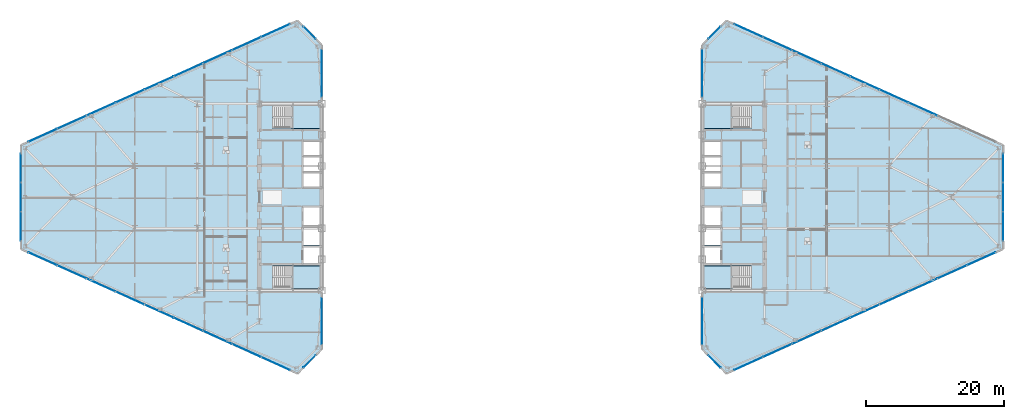
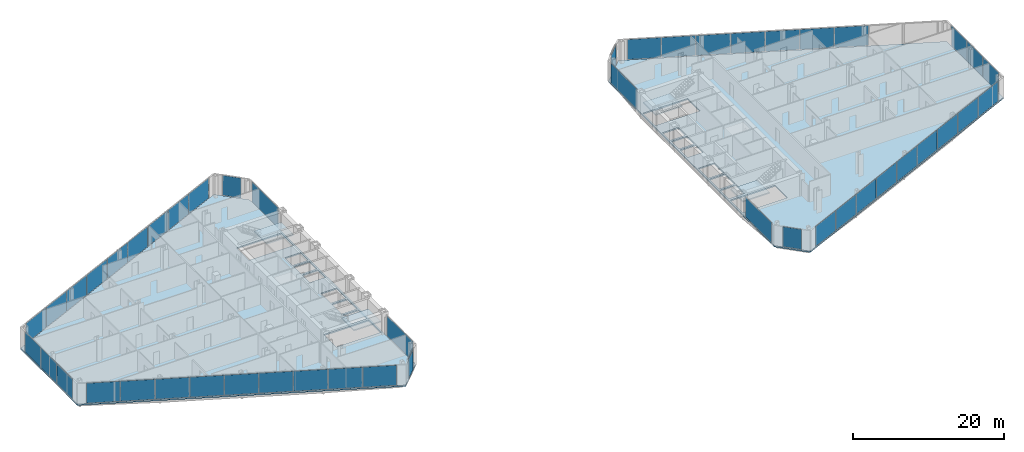
# One storey, part 17 of 27: 48 plates, 6 slabs, 18 elements without a shape of their own.
"""IFC4 building model written with IfcOpenShell, lengths in metres."""

from ifc_helpers import new_model, si_unit, direction, frame, origin, origin_2d, place, context, subcontext, project, spatial, polyline, rectangle, outline, extrude, source, transform, mapped, material, layer, layer_set, type_object, type_shapes, element, aggregate, save


model = new_model("IFC4")

# Units and contexts
model_context = context("Model", 3, precision=1e-05, world=origin(), true_north=direction((0.0, 1.0)))
body_context = subcontext(model_context, "Body", "Model", "MODEL_VIEW")
ifc_project = project(units=[si_unit("LENGTHUNIT", "METRE"), si_unit("AREAUNIT", "SQUARE_METRE"), si_unit("VOLUMEUNIT", "CUBIC_METRE"), si_unit("PLANEANGLEUNIT", "RADIAN"), si_unit("MASSUNIT", "GRAM", prefix="KILO")], contexts=[model_context])

# Site, building, storey
site_placement = place(None, origin())
site = spatial("IfcSite", under=ifc_project, at=site_placement, CompositionType="ELEMENT")
building_placement = place(site_placement, origin())
building = spatial("IfcBuilding", under=site, at=building_placement, Name="Seokmaru Belvedere", CompositionType="ELEMENT")
storey_placement = place(building_placement, frame((0.0, 0.0, 72.89990234375)))
storey = spatial("IfcBuildingStorey", under=building, at=storey_placement, Name="L19", CompositionType="ELEMENT", Elevation=72.89990234375)

# Stair, slab
ifc_material_1 = material(Name="Concrete C40 (40 MPa)", Category="concrete")
stair_type = type_object("IfcStairType", Name="Typical Tower Core Dog-Leg Stair 3600", PredefinedType="TWO_STRAIGHT_RUN_STAIR", material=ifc_material_1)
stair_1_placement = place(storey_placement, origin())
stair_1 = element("IfcStair", 1, at=stair_1_placement, inside=storey, type_object=stair_type, Name="L19 Special Escape Stair ST-W1", PredefinedType="TWO_STRAIGHT_RUN_STAIR")
ifc_layer_1 = layer(ifc_material_1, 0.199951171875)
ifc_layer_set_1 = layer_set([ifc_layer_1], Name="Concrete C40 (40 MPa)")
slab_type_1 = type_object("IfcSlabType", Name="Reinforced Concrete Stair Landing Slab 200", PredefinedType="LANDING", material=ifc_layer_set_1)
slab_1_placement = place(storey_placement, frame((0.0, 0.0, 1.60009765625)))
slab_1 = element("IfcSlab", 2, at=slab_1_placement, type_object=slab_type_1, Name="ST-W1 landing 1", PredefinedType="LANDING", context=body_context, shape_type="SweptSolid", body=[
    extrude(outline(polyline([(-31.8798828125, -13.239990234375), (-27.760009765625, -13.239990234375), (-27.760009765625, -9.949951171875), (-31.8798828125, -9.949951171875), (-31.8798828125, -13.239990234375)])), origin(), (0.0, 0.0, 1.0), 0.199951171875),
])
aggregate(stair_1, [slab_1])

stair_2_placement = place(storey_placement, origin())
stair_2 = element("IfcStair", 3, at=stair_2_placement, inside=storey, type_object=stair_type, Name="L19 Special Escape Stair ST-W2", PredefinedType="TWO_STRAIGHT_RUN_STAIR")
slab_2_placement = place(storey_placement, frame((0.0, 0.0, 1.60009765625)))
slab_2 = element("IfcSlab", 4, at=slab_2_placement, type_object=slab_type_1, Name="ST-W2 landing 1", PredefinedType="LANDING", context=body_context, shape_type="SweptSolid", body=[
    extrude(outline(polyline([(-31.8798828125, 9.949951171875), (-27.760009765625, 9.949951171875), (-27.760009765625, 13.239990234375), (-31.8798828125, 13.239990234375), (-31.8798828125, 9.949951171875)])), origin(), (0.0, 0.0, 1.0), 0.199951171875),
])
aggregate(stair_2, [slab_2])

stair_3_placement = place(storey_placement, origin())
stair_3 = element("IfcStair", 5, at=stair_3_placement, inside=storey, type_object=stair_type, Name="L19 Special Escape Stair ST-E1", PredefinedType="TWO_STRAIGHT_RUN_STAIR")
slab_3_placement = place(storey_placement, frame((0.0, 0.0, 1.60009765625)))
slab_3 = element("IfcSlab", 6, at=slab_3_placement, type_object=slab_type_1, Name="ST-E1 landing 1", PredefinedType="LANDING", context=body_context, shape_type="SweptSolid", body=[
    extrude(outline(polyline([(27.760009765625, -13.239990234375), (31.8798828125, -13.239990234375), (31.8798828125, -9.949951171875), (27.760009765625, -9.949951171875), (27.760009765625, -13.239990234375)])), origin(), (0.0, 0.0, 1.0), 0.199951171875),
])
aggregate(stair_3, [slab_3])

stair_4_placement = place(storey_placement, origin())
stair_4 = element("IfcStair", 7, at=stair_4_placement, inside=storey, type_object=stair_type, Name="L19 Special Escape Stair ST-E2", PredefinedType="TWO_STRAIGHT_RUN_STAIR")
slab_4_placement = place(storey_placement, frame((0.0, 0.0, 1.60009765625)))
slab_4 = element("IfcSlab", 8, at=slab_4_placement, type_object=slab_type_1, Name="ST-E2 landing 1", PredefinedType="LANDING", context=body_context, shape_type="SweptSolid", body=[
    extrude(outline(polyline([(27.760009765625, 9.949951171875), (31.8798828125, 9.949951171875), (31.8798828125, 13.239990234375), (27.760009765625, 13.239990234375), (27.760009765625, 9.949951171875)])), origin(), (0.0, 0.0, 1.0), 0.199951171875),
])
aggregate(stair_4, [slab_4])

# Slabs
ifc_layer_2 = layer(ifc_material_1, 0.219970703125)
ifc_layer_set_2 = layer_set([ifc_layer_2], Name="Concrete C40 (40 MPa)")
slab_type_2 = type_object("IfcSlabType", Name="Typical Tower Composite Floor Slab 220", PredefinedType="FLOOR", material=ifc_layer_set_2)
slab_5_placement = place(storey_placement, frame((0.0, 0.0, -0.219970703125)))
element("IfcSlab", 9, at=slab_5_placement, inside=storey, type_object=slab_type_2, Name="L19 West Leg Floor Slab", PredefinedType="FLOOR", context=body_context, shape_type="SweptSolid", body=[
    extrude(outline(polyline([(-27.5, -22.0), (-27.5, 22.0), (-31.0, 25.5), (-71.0, 7.5), (-71.0, -7.5), (-31.0, -25.5), (-27.5, -22.0)]), holes=[polyline([(-34.60009765625, -13.25), (-27.75, -13.25), (-27.75, -9.949951171875), (-34.60009765625, -9.949951171875), (-34.60009765625, -13.25)]), polyline([(-34.60009765625, 9.949951171875), (-27.75, 9.949951171875), (-27.75, 13.25), (-34.60009765625, 13.25), (-34.60009765625, 9.949951171875)]), polyline([(-30.14990234375, -9.550048828125), (-27.75, -9.550048828125), (-27.75, -7.25), (-30.14990234375, -7.25), (-30.14990234375, -9.550048828125)]), polyline([(-30.14990234375, -6.949951171875), (-27.75, -6.949951171875), (-27.75, -4.35009765625), (-30.14990234375, -4.35009765625), (-30.14990234375, -6.949951171875)]), polyline([(-30.14990234375, -4.050048828125), (-27.75, -4.050048828125), (-27.75, -1.449951171875), (-30.14990234375, -1.449951171875), (-30.14990234375, -4.050048828125)]), polyline([(-30.14990234375, 1.449951171875), (-27.75, 1.449951171875), (-27.75, 3.449951171875), (-30.14990234375, 3.449951171875), (-30.14990234375, 1.449951171875)]), polyline([(-30.14990234375, 3.75), (-27.75, 3.75), (-27.75, 5.75), (-30.14990234375, 5.75), (-30.14990234375, 3.75)]), polyline([(-30.14990234375, 6.050048828125), (-27.75, 6.050048828125), (-27.75, 8.050048828125), (-30.14990234375, 8.050048828125), (-30.14990234375, 6.050048828125)])]), origin(), (0.0, 0.0, 1.0), 0.219970703125),
])
slab_6_placement = place(storey_placement, frame((0.0, 0.0, -0.219970703125)))
element("IfcSlab", 10, at=slab_6_placement, inside=storey, type_object=slab_type_2, Name="L19 East Leg Floor Slab", PredefinedType="FLOOR", context=body_context, shape_type="SweptSolid", body=[
    extrude(outline(polyline([(31.0, -25.5), (71.0, -7.5), (71.0, 7.5), (31.0, 25.5), (27.5, 22.0), (27.5, -22.0), (31.0, -25.5)]), holes=[polyline([(27.75, -13.25), (34.60009765625, -13.25), (34.60009765625, -9.949951171875), (27.75, -9.949951171875), (27.75, -13.25)]), polyline([(27.75, 9.949951171875), (34.60009765625, 9.949951171875), (34.60009765625, 13.25), (27.75, 13.25), (27.75, 9.949951171875)]), polyline([(27.75, -9.550048828125), (30.14990234375, -9.550048828125), (30.14990234375, -7.25), (27.75, -7.25), (27.75, -9.550048828125)]), polyline([(27.75, -6.949951171875), (30.14990234375, -6.949951171875), (30.14990234375, -4.35009765625), (27.75, -4.35009765625), (27.75, -6.949951171875)]), polyline([(27.75, -4.050048828125), (30.14990234375, -4.050048828125), (30.14990234375, -1.449951171875), (27.75, -1.449951171875), (27.75, -4.050048828125)]), polyline([(27.75, 1.449951171875), (30.14990234375, 1.449951171875), (30.14990234375, 3.449951171875), (27.75, 3.449951171875), (27.75, 1.449951171875)]), polyline([(27.75, 3.75), (30.14990234375, 3.75), (30.14990234375, 5.75), (27.75, 5.75), (27.75, 3.75)]), polyline([(27.75, 6.050048828125), (30.14990234375, 6.050048828125), (30.14990234375, 8.050048828125), (27.75, 8.050048828125), (27.75, 6.050048828125)])]), origin(), (0.0, 0.0, 1.0), 0.219970703125),
])

# Curtain wall, plate
ifc_material_2 = material(Name="Bronze Triple Insulating Glass", Category="glass")
ifc_layer_3 = layer(ifc_material_2, 0.195068359375)
ifc_layer_set_3 = layer_set([ifc_layer_3], Name="Bronze Triple Insulating Glass")
curtain_wall_type = type_object("IfcCurtainWallType", Name="Lower-Mid Tapered Curtain Wall System CW-3", PredefinedType="NOTDEFINED", material=ifc_layer_set_3)
curtain_wall_1_placement = place(storey_placement, origin())
curtain_wall_1 = element("IfcCurtainWall", 11, at=curtain_wall_1_placement, inside=storey, type_object=curtain_wall_type, Name="L19 Curtain Wall WSP_1", PredefinedType="NOTDEFINED")
ifc_layer_4 = layer(ifc_material_2, 0.035888671875)
ifc_layer_set_4 = layer_set([ifc_layer_4], Name="Bronze Triple Insulating Glass")
plate_type = type_object("IfcPlateType", Name="Bronze Triple Vision Glazing Panel 36", PredefinedType="CURTAIN_PANEL", material=ifc_layer_set_4)
shared_shape_1 = source(origin(), body_context, "Body", "SweptSolid", [
    extrude(rectangle(XDim=6.909912109375, YDim=0.035888671875, at=origin_2d()), origin(), (0.0, 0.0, 1.0), 3.239990234375),
])
plate_1_placement = place(storey_placement, frame((-27.5, -17.905029296875, 0.0703125), z_axis=(0.0, 0.0, 1.0), x_axis=(0.0, 1.0, 0.0)))
plate_1 = element("IfcPlate", 12, at=plate_1_placement, type_object=plate_type, Name="CW:L19:WSP_1 Glazing Panel 1-1", PredefinedType="CURTAIN_PANEL", context=body_context, shape_type="MappedRepresentation", body=[
    mapped(shared_shape_1, transform((0.0, 0.0, 0.0), scale=1.0)),
])
aggregate(curtain_wall_1, [plate_1])

curtain_wall_2_placement = place(storey_placement, origin())
curtain_wall_2 = element("IfcCurtainWall", 13, at=curtain_wall_2_placement, inside=storey, type_object=curtain_wall_type, Name="L19 Curtain Wall WSP_2", PredefinedType="NOTDEFINED")
plate_2_placement = place(storey_placement, frame((-27.5, 17.905029296875, 0.0703125), z_axis=(0.0, 0.0, 1.0), x_axis=(0.0, 1.0, 0.0)))
plate_2 = element("IfcPlate", 14, at=plate_2_placement, type_object=plate_type, Name="CW:L19:WSP_2 Glazing Panel 1-1", PredefinedType="CURTAIN_PANEL", context=body_context, shape_type="MappedRepresentation", body=[
    mapped(shared_shape_1, transform((0.0, 0.0, 0.0), scale=1.0)),
])
aggregate(curtain_wall_2, [plate_2])

curtain_wall_3_placement = place(storey_placement, origin())
curtain_wall_3 = element("IfcCurtainWall", 15, at=curtain_wall_3_placement, inside=storey, type_object=curtain_wall_type, Name="L19 Curtain Wall ESP_1", PredefinedType="NOTDEFINED")
plate_3_placement = place(storey_placement, frame((27.5, -17.905029296875, 0.0703125), z_axis=(0.0, 0.0, 1.0), x_axis=(0.0, -1.0, 0.0)))
plate_3 = element("IfcPlate", 16, at=plate_3_placement, type_object=plate_type, Name="CW:L19:ESP_1 Glazing Panel 1-1", PredefinedType="CURTAIN_PANEL", context=body_context, shape_type="MappedRepresentation", body=[
    mapped(shared_shape_1, transform((0.0, 0.0, 0.0), scale=1.0)),
])
aggregate(curtain_wall_3, [plate_3])

curtain_wall_4_placement = place(storey_placement, origin())
curtain_wall_4 = element("IfcCurtainWall", 17, at=curtain_wall_4_placement, inside=storey, type_object=curtain_wall_type, Name="L19 Curtain Wall ESP_2", PredefinedType="NOTDEFINED")
plate_4_placement = place(storey_placement, frame((27.5, 17.905029296875, 0.0703125), z_axis=(0.0, 0.0, 1.0), x_axis=(0.0, -1.0, 0.0)))
plate_4 = element("IfcPlate", 18, at=plate_4_placement, type_object=plate_type, Name="CW:L19:ESP_2 Glazing Panel 1-1", PredefinedType="CURTAIN_PANEL", context=body_context, shape_type="MappedRepresentation", body=[
    mapped(shared_shape_1, transform((0.0, 0.0, 0.0), scale=1.0)),
])
aggregate(curtain_wall_4, [plate_4])

curtain_wall_5_placement = place(storey_placement, origin())
curtain_wall_5 = element("IfcCurtainWall", 19, at=curtain_wall_5_placement, inside=storey, type_object=curtain_wall_type, Name="L19 Curtain Wall WF2", PredefinedType="NOTDEFINED")
shared_shape_2 = source(origin(), body_context, "Body", "SweptSolid", [
    extrude(rectangle(XDim=2.509765625, YDim=0.035888671875, at=origin_2d()), origin(), (0.0, 0.0, 1.0), 3.239990234375),
])
plate_5_placement = place(storey_placement, frame((-29.25, 23.75, 0.0703125), z_axis=(0.0, 0.0, 1.0), x_axis=(-0.707106781187, 0.707106781187, 0.0)))
plate_5 = element("IfcPlate", 20, at=plate_5_placement, type_object=plate_type, Name="CW:L19:WF2 Glazing Panel 1-1", PredefinedType="CURTAIN_PANEL", context=body_context, shape_type="MappedRepresentation", body=[
    mapped(shared_shape_2, transform((0.0, 0.0, 0.0), scale=1.0)),
])
aggregate(curtain_wall_5, [plate_5])

curtain_wall_6_placement = place(storey_placement, origin())
curtain_wall_6 = element("IfcCurtainWall", 21, at=curtain_wall_6_placement, inside=storey, type_object=curtain_wall_type, Name="L19 Curtain Wall WF6", PredefinedType="NOTDEFINED")
plate_6_placement = place(storey_placement, frame((-29.25, -23.75, 0.0703125), z_axis=(0.0, 0.0, 1.0), x_axis=(0.707106781187, 0.707106781187, 0.0)))
plate_6 = element("IfcPlate", 22, at=plate_6_placement, type_object=plate_type, Name="CW:L19:WF6 Glazing Panel 1-1", PredefinedType="CURTAIN_PANEL", context=body_context, shape_type="MappedRepresentation", body=[
    mapped(shared_shape_2, transform((0.0, 0.0, 0.0), scale=1.0)),
])
aggregate(curtain_wall_6, [plate_6])

curtain_wall_7_placement = place(storey_placement, origin())
curtain_wall_7 = element("IfcCurtainWall", 23, at=curtain_wall_7_placement, inside=storey, type_object=curtain_wall_type, Name="L19 Curtain Wall EF4", PredefinedType="NOTDEFINED")
plate_7_placement = place(storey_placement, frame((29.25, 23.75, 0.0703125), z_axis=(0.0, 0.0, 1.0), x_axis=(-0.707106781187, -0.707106781187, 0.0)))
plate_7 = element("IfcPlate", 24, at=plate_7_placement, type_object=plate_type, Name="CW:L19:EF4 Glazing Panel 1-1", PredefinedType="CURTAIN_PANEL", context=body_context, shape_type="MappedRepresentation", body=[
    mapped(shared_shape_2, transform((0.0, 0.0, 0.0), scale=1.0)),
])
aggregate(curtain_wall_7, [plate_7])

curtain_wall_8_placement = place(storey_placement, origin())
curtain_wall_8 = element("IfcCurtainWall", 25, at=curtain_wall_8_placement, inside=storey, type_object=curtain_wall_type, Name="L19 Curtain Wall EF6", PredefinedType="NOTDEFINED")
plate_8_placement = place(storey_placement, frame((29.25, -23.75, 0.0703125), z_axis=(0.0, 0.0, 1.0), x_axis=(0.707106781187, -0.707106781187, 0.0)))
plate_8 = element("IfcPlate", 26, at=plate_8_placement, type_object=plate_type, Name="CW:L19:EF6 Glazing Panel 1-1", PredefinedType="CURTAIN_PANEL", context=body_context, shape_type="MappedRepresentation", body=[
    mapped(shared_shape_2, transform((0.0, 0.0, 0.0), scale=1.0)),
])
aggregate(curtain_wall_8, [plate_8])

# Curtain wall, plates
curtain_wall_9_placement = place(storey_placement, origin())
curtain_wall_9 = element("IfcCurtainWall", 27, at=curtain_wall_9_placement, inside=storey, type_object=curtain_wall_type, Name="L19 Curtain Wall WF3", PredefinedType="NOTDEFINED")
shared_shape_3 = source(origin(), body_context, "Body", "SweptSolid", [
    extrude(rectangle(XDim=4.51318359375, YDim=0.035888671875, at=origin_2d()), origin(), (0.0, 0.0, 1.0), 3.239990234375),
])
plate_9_placement = place(storey_placement, frame((-34.17041015625, 24.073486328125, 0.0703125), z_axis=(0.0, 0.0, 1.0), x_axis=(-0.91192111353, -0.41036554765, 0.0)))
plate_9 = element("IfcPlate", 28, at=plate_9_placement, type_object=plate_type, Name="CW:L19:WF3 Glazing Panel 1-1", PredefinedType="CURTAIN_PANEL", context=body_context, shape_type="MappedRepresentation", body=[
    mapped(shared_shape_3, transform((0.0, 0.0, 0.0), scale=1.0)),
])
plate_10_placement = place(storey_placement, frame((-67.82958984375, 8.926513671875, 0.0703125), z_axis=(0.0, 0.0, 1.0), x_axis=(-0.91192111353, -0.41036554765, 0.0)))
plate_10 = element("IfcPlate", 29, at=plate_10_placement, type_object=plate_type, Name="CW:L19:WF3 Glazing Panel 9-1", PredefinedType="CURTAIN_PANEL", context=body_context, shape_type="MappedRepresentation", body=[
    mapped(shared_shape_3, transform((0.0, 0.0, 0.0), scale=1.0)),
])

curtain_wall_10_placement = place(storey_placement, origin())
curtain_wall_10 = element("IfcCurtainWall", 30, at=curtain_wall_10_placement, inside=storey, type_object=curtain_wall_type, Name="L19 Curtain Wall WF5", PredefinedType="NOTDEFINED")
plate_11_placement = place(storey_placement, frame((-67.82958984375, -8.926513671875, 0.0703125), z_axis=(0.0, 0.0, 1.0), x_axis=(0.91192111353, -0.41036554765, 0.0)))
plate_11 = element("IfcPlate", 31, at=plate_11_placement, type_object=plate_type, Name="CW:L19:WF5 Glazing Panel 1-1", PredefinedType="CURTAIN_PANEL", context=body_context, shape_type="MappedRepresentation", body=[
    mapped(shared_shape_3, transform((0.0, 0.0, 0.0), scale=1.0)),
])
plate_12_placement = place(storey_placement, frame((-34.17041015625, -24.073486328125, 0.0703125), z_axis=(0.0, 0.0, 1.0), x_axis=(0.91192111353, -0.41036554765, 0.0)))
plate_12 = element("IfcPlate", 32, at=plate_12_placement, type_object=plate_type, Name="CW:L19:WF5 Glazing Panel 9-1", PredefinedType="CURTAIN_PANEL", context=body_context, shape_type="MappedRepresentation", body=[
    mapped(shared_shape_3, transform((0.0, 0.0, 0.0), scale=1.0)),
])

curtain_wall_11_placement = place(storey_placement, origin())
curtain_wall_11 = element("IfcCurtainWall", 33, at=curtain_wall_11_placement, inside=storey, type_object=curtain_wall_type, Name="L19 Curtain Wall EF1", PredefinedType="NOTDEFINED")
plate_13_placement = place(storey_placement, frame((34.17041015625, -24.073486328125, 0.0703125), z_axis=(0.0, 0.0, 1.0), x_axis=(0.91192111353, 0.41036554765, 0.0)))
plate_13 = element("IfcPlate", 34, at=plate_13_placement, type_object=plate_type, Name="CW:L19:EF1 Glazing Panel 1-1", PredefinedType="CURTAIN_PANEL", context=body_context, shape_type="MappedRepresentation", body=[
    mapped(shared_shape_3, transform((0.0, 0.0, 0.0), scale=1.0)),
])
plate_14_placement = place(storey_placement, frame((67.82958984375, -8.926513671875, 0.0703125), z_axis=(0.0, 0.0, 1.0), x_axis=(0.91192111353, 0.41036554765, 0.0)))
plate_14 = element("IfcPlate", 35, at=plate_14_placement, type_object=plate_type, Name="CW:L19:EF1 Glazing Panel 9-1", PredefinedType="CURTAIN_PANEL", context=body_context, shape_type="MappedRepresentation", body=[
    mapped(shared_shape_3, transform((0.0, 0.0, 0.0), scale=1.0)),
])

# Curtain wall, plate
curtain_wall_12_placement = place(storey_placement, origin())
curtain_wall_12 = element("IfcCurtainWall", 36, at=curtain_wall_12_placement, inside=storey, type_object=curtain_wall_type, Name="L19 Curtain Wall EF3", PredefinedType="NOTDEFINED")
plate_15_placement = place(storey_placement, frame((34.17041015625, 24.073486328125, 0.0703125), z_axis=(0.0, 0.0, 1.0), x_axis=(-0.91192111353, 0.41036554765, 0.0)))
plate_15 = element("IfcPlate", 37, at=plate_15_placement, type_object=plate_type, Name="CW:L19:EF3 Glazing Panel 9-1", PredefinedType="CURTAIN_PANEL", context=body_context, shape_type="MappedRepresentation", body=[
    mapped(shared_shape_3, transform((0.0, 0.0, 0.0), scale=1.0)),
])

# Plate
shared_shape_4 = source(origin(), body_context, "Body", "SweptSolid", [
    extrude(rectangle(XDim=4.548095703125, YDim=0.035888671875, at=origin_2d()), origin(), (0.0, 0.0, 1.0), 3.239990234375),
])
plate_16_placement = place(storey_placement, frame((-38.36572265625, 22.185302734375, 0.0703125), z_axis=(0.0, 0.0, 1.0), x_axis=(-0.91192111353, -0.41036554765, 0.0)))
plate_16 = element("IfcPlate", 38, at=plate_16_placement, type_object=plate_type, Name="CW:L19:WF3 Glazing Panel 2-1", PredefinedType="CURTAIN_PANEL", context=body_context, shape_type="MappedRepresentation", body=[
    mapped(shared_shape_4, transform((0.0, 0.0, 0.0), scale=1.0)),
])

plate_17_placement = place(storey_placement, frame((-42.5771484375, 20.290283203125, 0.0703125), z_axis=(0.0, 0.0, 1.0), x_axis=(-0.91192111353, -0.41036554765, 0.0)))
plate_17 = element("IfcPlate", 39, at=plate_17_placement, type_object=plate_type, Name="CW:L19:WF3 Glazing Panel 3-1", PredefinedType="CURTAIN_PANEL", context=body_context, shape_type="MappedRepresentation", body=[
    mapped(shared_shape_4, transform((0.0, 0.0, 0.0), scale=1.0)),
])

plate_18_placement = place(storey_placement, frame((-46.78857421875, 18.39501953125, 0.0703125), z_axis=(0.0, 0.0, 1.0), x_axis=(-0.91192111353, -0.41036554765, 0.0)))
plate_18 = element("IfcPlate", 40, at=plate_18_placement, type_object=plate_type, Name="CW:L19:WF3 Glazing Panel 4-1", PredefinedType="CURTAIN_PANEL", context=body_context, shape_type="MappedRepresentation", body=[
    mapped(shared_shape_4, transform((0.0, 0.0, 0.0), scale=1.0)),
])

plate_19_placement = place(storey_placement, frame((-51.0, 16.5, 0.0703125), z_axis=(0.0, 0.0, 1.0), x_axis=(-0.91192111353, -0.41036554765, 0.0)))
plate_19 = element("IfcPlate", 41, at=plate_19_placement, type_object=plate_type, Name="CW:L19:WF3 Glazing Panel 5-1", PredefinedType="CURTAIN_PANEL", context=body_context, shape_type="MappedRepresentation", body=[
    mapped(shared_shape_4, transform((0.0, 0.0, 0.0), scale=1.0)),
])

plate_20_placement = place(storey_placement, frame((-55.21142578125, 14.60498046875, 0.0703125), z_axis=(0.0, 0.0, 1.0), x_axis=(-0.91192111353, -0.41036554765, 0.0)))
plate_20 = element("IfcPlate", 42, at=plate_20_placement, type_object=plate_type, Name="CW:L19:WF3 Glazing Panel 6-1", PredefinedType="CURTAIN_PANEL", context=body_context, shape_type="MappedRepresentation", body=[
    mapped(shared_shape_4, transform((0.0, 0.0, 0.0), scale=1.0)),
])

plate_21_placement = place(storey_placement, frame((-59.4228515625, 12.709716796875, 0.0703125), z_axis=(0.0, 0.0, 1.0), x_axis=(-0.91192111353, -0.41036554765, 0.0)))
plate_21 = element("IfcPlate", 43, at=plate_21_placement, type_object=plate_type, Name="CW:L19:WF3 Glazing Panel 7-1", PredefinedType="CURTAIN_PANEL", context=body_context, shape_type="MappedRepresentation", body=[
    mapped(shared_shape_4, transform((0.0, 0.0, 0.0), scale=1.0)),
])

plate_22_placement = place(storey_placement, frame((-63.63427734375, 10.814697265625, 0.0703125), z_axis=(0.0, 0.0, 1.0), x_axis=(-0.91192111353, -0.41036554765, 0.0)))
plate_22 = element("IfcPlate", 44, at=plate_22_placement, type_object=plate_type, Name="CW:L19:WF3 Glazing Panel 8-1", PredefinedType="CURTAIN_PANEL", context=body_context, shape_type="MappedRepresentation", body=[
    mapped(shared_shape_4, transform((0.0, 0.0, 0.0), scale=1.0)),
])

aggregate(curtain_wall_9, [plate_9, plate_16, plate_17, plate_18, plate_19, plate_20, plate_21, plate_22, plate_10])

plate_23_placement = place(storey_placement, frame((-63.63427734375, -10.814697265625, 0.0703125), z_axis=(0.0, 0.0, 1.0), x_axis=(0.91192111353, -0.41036554765, 0.0)))
plate_23 = element("IfcPlate", 45, at=plate_23_placement, type_object=plate_type, Name="CW:L19:WF5 Glazing Panel 2-1", PredefinedType="CURTAIN_PANEL", context=body_context, shape_type="MappedRepresentation", body=[
    mapped(shared_shape_4, transform((0.0, 0.0, 0.0), scale=1.0)),
])

plate_24_placement = place(storey_placement, frame((-59.4228515625, -12.709716796875, 0.0703125), z_axis=(0.0, 0.0, 1.0), x_axis=(0.91192111353, -0.41036554765, 0.0)))
plate_24 = element("IfcPlate", 46, at=plate_24_placement, type_object=plate_type, Name="CW:L19:WF5 Glazing Panel 3-1", PredefinedType="CURTAIN_PANEL", context=body_context, shape_type="MappedRepresentation", body=[
    mapped(shared_shape_4, transform((0.0, 0.0, 0.0), scale=1.0)),
])

plate_25_placement = place(storey_placement, frame((-55.21142578125, -14.60498046875, 0.0703125), z_axis=(0.0, 0.0, 1.0), x_axis=(0.91192111353, -0.41036554765, 0.0)))
plate_25 = element("IfcPlate", 47, at=plate_25_placement, type_object=plate_type, Name="CW:L19:WF5 Glazing Panel 4-1", PredefinedType="CURTAIN_PANEL", context=body_context, shape_type="MappedRepresentation", body=[
    mapped(shared_shape_4, transform((0.0, 0.0, 0.0), scale=1.0)),
])

plate_26_placement = place(storey_placement, frame((-51.0, -16.5, 0.0703125), z_axis=(0.0, 0.0, 1.0), x_axis=(0.91192111353, -0.41036554765, 0.0)))
plate_26 = element("IfcPlate", 48, at=plate_26_placement, type_object=plate_type, Name="CW:L19:WF5 Glazing Panel 5-1", PredefinedType="CURTAIN_PANEL", context=body_context, shape_type="MappedRepresentation", body=[
    mapped(shared_shape_4, transform((0.0, 0.0, 0.0), scale=1.0)),
])

plate_27_placement = place(storey_placement, frame((-46.78857421875, -18.39501953125, 0.0703125), z_axis=(0.0, 0.0, 1.0), x_axis=(0.91192111353, -0.41036554765, 0.0)))
plate_27 = element("IfcPlate", 49, at=plate_27_placement, type_object=plate_type, Name="CW:L19:WF5 Glazing Panel 6-1", PredefinedType="CURTAIN_PANEL", context=body_context, shape_type="MappedRepresentation", body=[
    mapped(shared_shape_4, transform((0.0, 0.0, 0.0), scale=1.0)),
])

plate_28_placement = place(storey_placement, frame((-42.5771484375, -20.290283203125, 0.0703125), z_axis=(0.0, 0.0, 1.0), x_axis=(0.91192111353, -0.41036554765, 0.0)))
plate_28 = element("IfcPlate", 50, at=plate_28_placement, type_object=plate_type, Name="CW:L19:WF5 Glazing Panel 7-1", PredefinedType="CURTAIN_PANEL", context=body_context, shape_type="MappedRepresentation", body=[
    mapped(shared_shape_4, transform((0.0, 0.0, 0.0), scale=1.0)),
])

plate_29_placement = place(storey_placement, frame((-38.36572265625, -22.185302734375, 0.0703125), z_axis=(0.0, 0.0, 1.0), x_axis=(0.91192111353, -0.41036554765, 0.0)))
plate_29 = element("IfcPlate", 51, at=plate_29_placement, type_object=plate_type, Name="CW:L19:WF5 Glazing Panel 8-1", PredefinedType="CURTAIN_PANEL", context=body_context, shape_type="MappedRepresentation", body=[
    mapped(shared_shape_4, transform((0.0, 0.0, 0.0), scale=1.0)),
])

aggregate(curtain_wall_10, [plate_11, plate_23, plate_24, plate_25, plate_26, plate_27, plate_28, plate_29, plate_12])

plate_30_placement = place(storey_placement, frame((38.36572265625, -22.185302734375, 0.0703125), z_axis=(0.0, 0.0, 1.0), x_axis=(0.91192111353, 0.41036554765, 0.0)))
plate_30 = element("IfcPlate", 52, at=plate_30_placement, type_object=plate_type, Name="CW:L19:EF1 Glazing Panel 2-1", PredefinedType="CURTAIN_PANEL", context=body_context, shape_type="MappedRepresentation", body=[
    mapped(shared_shape_4, transform((0.0, 0.0, 0.0), scale=1.0)),
])

plate_31_placement = place(storey_placement, frame((42.5771484375, -20.290283203125, 0.0703125), z_axis=(0.0, 0.0, 1.0), x_axis=(0.91192111353, 0.41036554765, 0.0)))
plate_31 = element("IfcPlate", 53, at=plate_31_placement, type_object=plate_type, Name="CW:L19:EF1 Glazing Panel 3-1", PredefinedType="CURTAIN_PANEL", context=body_context, shape_type="MappedRepresentation", body=[
    mapped(shared_shape_4, transform((0.0, 0.0, 0.0), scale=1.0)),
])

plate_32_placement = place(storey_placement, frame((46.78857421875, -18.39501953125, 0.0703125), z_axis=(0.0, 0.0, 1.0), x_axis=(0.91192111353, 0.41036554765, 0.0)))
plate_32 = element("IfcPlate", 54, at=plate_32_placement, type_object=plate_type, Name="CW:L19:EF1 Glazing Panel 4-1", PredefinedType="CURTAIN_PANEL", context=body_context, shape_type="MappedRepresentation", body=[
    mapped(shared_shape_4, transform((0.0, 0.0, 0.0), scale=1.0)),
])

plate_33_placement = place(storey_placement, frame((51.0, -16.5, 0.0703125), z_axis=(0.0, 0.0, 1.0), x_axis=(0.91192111353, 0.41036554765, 0.0)))
plate_33 = element("IfcPlate", 55, at=plate_33_placement, type_object=plate_type, Name="CW:L19:EF1 Glazing Panel 5-1", PredefinedType="CURTAIN_PANEL", context=body_context, shape_type="MappedRepresentation", body=[
    mapped(shared_shape_4, transform((0.0, 0.0, 0.0), scale=1.0)),
])

plate_34_placement = place(storey_placement, frame((55.21142578125, -14.60498046875, 0.0703125), z_axis=(0.0, 0.0, 1.0), x_axis=(0.91192111353, 0.41036554765, 0.0)))
plate_34 = element("IfcPlate", 56, at=plate_34_placement, type_object=plate_type, Name="CW:L19:EF1 Glazing Panel 6-1", PredefinedType="CURTAIN_PANEL", context=body_context, shape_type="MappedRepresentation", body=[
    mapped(shared_shape_4, transform((0.0, 0.0, 0.0), scale=1.0)),
])

plate_35_placement = place(storey_placement, frame((59.4228515625, -12.709716796875, 0.0703125), z_axis=(0.0, 0.0, 1.0), x_axis=(0.91192111353, 0.41036554765, 0.0)))
plate_35 = element("IfcPlate", 57, at=plate_35_placement, type_object=plate_type, Name="CW:L19:EF1 Glazing Panel 7-1", PredefinedType="CURTAIN_PANEL", context=body_context, shape_type="MappedRepresentation", body=[
    mapped(shared_shape_4, transform((0.0, 0.0, 0.0), scale=1.0)),
])

plate_36_placement = place(storey_placement, frame((63.63427734375, -10.814697265625, 0.0703125), z_axis=(0.0, 0.0, 1.0), x_axis=(0.91192111353, 0.41036554765, 0.0)))
plate_36 = element("IfcPlate", 58, at=plate_36_placement, type_object=plate_type, Name="CW:L19:EF1 Glazing Panel 8-1", PredefinedType="CURTAIN_PANEL", context=body_context, shape_type="MappedRepresentation", body=[
    mapped(shared_shape_4, transform((0.0, 0.0, 0.0), scale=1.0)),
])

aggregate(curtain_wall_11, [plate_13, plate_30, plate_31, plate_32, plate_33, plate_34, plate_35, plate_36, plate_14])

plate_37_placement = place(storey_placement, frame((59.4228515625, 12.709716796875, 0.0703125), z_axis=(0.0, 0.0, 1.0), x_axis=(-0.91192111353, 0.41036554765, 0.0)))
plate_37 = element("IfcPlate", 59, at=plate_37_placement, type_object=plate_type, Name="CW:L19:EF3 Glazing Panel 3-1", PredefinedType="CURTAIN_PANEL", context=body_context, shape_type="MappedRepresentation", body=[
    mapped(shared_shape_4, transform((0.0, 0.0, 0.0), scale=1.0)),
])

plate_38_placement = place(storey_placement, frame((55.21142578125, 14.60498046875, 0.0703125), z_axis=(0.0, 0.0, 1.0), x_axis=(-0.91192111353, 0.41036554765, 0.0)))
plate_38 = element("IfcPlate", 60, at=plate_38_placement, type_object=plate_type, Name="CW:L19:EF3 Glazing Panel 4-1", PredefinedType="CURTAIN_PANEL", context=body_context, shape_type="MappedRepresentation", body=[
    mapped(shared_shape_4, transform((0.0, 0.0, 0.0), scale=1.0)),
])

plate_39_placement = place(storey_placement, frame((51.0, 16.5, 0.0703125), z_axis=(0.0, 0.0, 1.0), x_axis=(-0.91192111353, 0.41036554765, 0.0)))
plate_39 = element("IfcPlate", 61, at=plate_39_placement, type_object=plate_type, Name="CW:L19:EF3 Glazing Panel 5-1", PredefinedType="CURTAIN_PANEL", context=body_context, shape_type="MappedRepresentation", body=[
    mapped(shared_shape_4, transform((0.0, 0.0, 0.0), scale=1.0)),
])

plate_40_placement = place(storey_placement, frame((46.78857421875, 18.39501953125, 0.0703125), z_axis=(0.0, 0.0, 1.0), x_axis=(-0.91192111353, 0.41036554765, 0.0)))
plate_40 = element("IfcPlate", 62, at=plate_40_placement, type_object=plate_type, Name="CW:L19:EF3 Glazing Panel 6-1", PredefinedType="CURTAIN_PANEL", context=body_context, shape_type="MappedRepresentation", body=[
    mapped(shared_shape_4, transform((0.0, 0.0, 0.0), scale=1.0)),
])

plate_41_placement = place(storey_placement, frame((42.5771484375, 20.290283203125, 0.0703125), z_axis=(0.0, 0.0, 1.0), x_axis=(-0.91192111353, 0.41036554765, 0.0)))
plate_41 = element("IfcPlate", 63, at=plate_41_placement, type_object=plate_type, Name="CW:L19:EF3 Glazing Panel 7-1", PredefinedType="CURTAIN_PANEL", context=body_context, shape_type="MappedRepresentation", body=[
    mapped(shared_shape_4, transform((0.0, 0.0, 0.0), scale=1.0)),
])

plate_42_placement = place(storey_placement, frame((38.36572265625, 22.185302734375, 0.0703125), z_axis=(0.0, 0.0, 1.0), x_axis=(-0.91192111353, 0.41036554765, 0.0)))
plate_42 = element("IfcPlate", 64, at=plate_42_placement, type_object=plate_type, Name="CW:L19:EF3 Glazing Panel 8-1", PredefinedType="CURTAIN_PANEL", context=body_context, shape_type="MappedRepresentation", body=[
    mapped(shared_shape_4, transform((0.0, 0.0, 0.0), scale=1.0)),
])

aggregate(curtain_wall_12, [plate_37, plate_38, plate_39, plate_40, plate_41, plate_42, plate_15])

# Curtain wall, plates
curtain_wall_13_placement = place(storey_placement, origin())
curtain_wall_13 = element("IfcCurtainWall", 65, at=curtain_wall_13_placement, inside=storey, type_object=curtain_wall_type, Name="L19 Curtain Wall WF4", PredefinedType="NOTDEFINED")
shared_shape_5 = source(origin(), body_context, "Body", "SweptSolid", [
    extrude(rectangle(XDim=4.12841796875, YDim=0.035888671875, at=origin_2d()), origin(), (0.0, 0.0, 1.0), 3.239990234375),
])
plate_43_placement = place(storey_placement, frame((-71.0, 4.2158203125, 0.0703125), z_axis=(0.0, 0.0, 1.0), x_axis=(0.0, -1.0, 0.0)))
plate_43 = element("IfcPlate", 66, at=plate_43_placement, type_object=plate_type, Name="CW:L19:WF4 Glazing Panel 1-1", PredefinedType="CURTAIN_PANEL", context=body_context, shape_type="MappedRepresentation", body=[
    mapped(shared_shape_5, transform((0.0, 0.0, 0.0), scale=1.0)),
])
plate_44_placement = place(storey_placement, frame((-71.0, -4.2158203125, 0.0703125), z_axis=(0.0, 0.0, 1.0), x_axis=(0.0, -1.0, 0.0)))
plate_44 = element("IfcPlate", 67, at=plate_44_placement, type_object=plate_type, Name="CW:L19:WF4 Glazing Panel 3-1", PredefinedType="CURTAIN_PANEL", context=body_context, shape_type="MappedRepresentation", body=[
    mapped(shared_shape_5, transform((0.0, 0.0, 0.0), scale=1.0)),
])

curtain_wall_14_placement = place(storey_placement, origin())
curtain_wall_14 = element("IfcCurtainWall", 68, at=curtain_wall_14_placement, inside=storey, type_object=curtain_wall_type, Name="L19 Curtain Wall EF2", PredefinedType="NOTDEFINED")
plate_45_placement = place(storey_placement, frame((71.0, -4.2158203125, 0.0703125), z_axis=(0.0, 0.0, 1.0), x_axis=(0.0, 1.0, 0.0)))
plate_45 = element("IfcPlate", 69, at=plate_45_placement, type_object=plate_type, Name="CW:L19:EF2 Glazing Panel 1-1", PredefinedType="CURTAIN_PANEL", context=body_context, shape_type="MappedRepresentation", body=[
    mapped(shared_shape_5, transform((0.0, 0.0, 0.0), scale=1.0)),
])
plate_46_placement = place(storey_placement, frame((71.0, 4.2158203125, 0.0703125), z_axis=(0.0, 0.0, 1.0), x_axis=(0.0, 1.0, 0.0)))
plate_46 = element("IfcPlate", 70, at=plate_46_placement, type_object=plate_type, Name="CW:L19:EF2 Glazing Panel 3-1", PredefinedType="CURTAIN_PANEL", context=body_context, shape_type="MappedRepresentation", body=[
    mapped(shared_shape_5, transform((0.0, 0.0, 0.0), scale=1.0)),
])

# Plate
shared_shape_6 = source(origin(), body_context, "Body", "SweptSolid", [
    extrude(rectangle(XDim=4.163330078125, YDim=0.035888671875, at=origin_2d()), origin(), (0.0, 0.0, 1.0), 3.239990234375),
])
type_shapes(plate_type, [shared_shape_1, shared_shape_2, shared_shape_3, shared_shape_4, shared_shape_5, shared_shape_6])
plate_47_placement = place(storey_placement, frame((-71.0, 0.0, 0.0703125), z_axis=(0.0, 0.0, 1.0), x_axis=(0.0, -1.0, 0.0)))
plate_47 = element("IfcPlate", 71, at=plate_47_placement, type_object=plate_type, Name="CW:L19:WF4 Glazing Panel 2-1", PredefinedType="CURTAIN_PANEL", context=body_context, shape_type="MappedRepresentation", body=[
    mapped(shared_shape_6, transform((0.0, 0.0, 0.0), scale=1.0)),
])

aggregate(curtain_wall_13, [plate_43, plate_47, plate_44])

plate_48_placement = place(storey_placement, frame((71.0, 0.0, 0.0703125), z_axis=(0.0, 0.0, 1.0), x_axis=(0.0, 1.0, 0.0)))
plate_48 = element("IfcPlate", 72, at=plate_48_placement, type_object=plate_type, Name="CW:L19:EF2 Glazing Panel 2-1", PredefinedType="CURTAIN_PANEL", context=body_context, shape_type="MappedRepresentation", body=[
    mapped(shared_shape_6, transform((0.0, 0.0, 0.0), scale=1.0)),
])

aggregate(curtain_wall_14, [plate_45, plate_48, plate_46])

save(model, "model.ifc")
